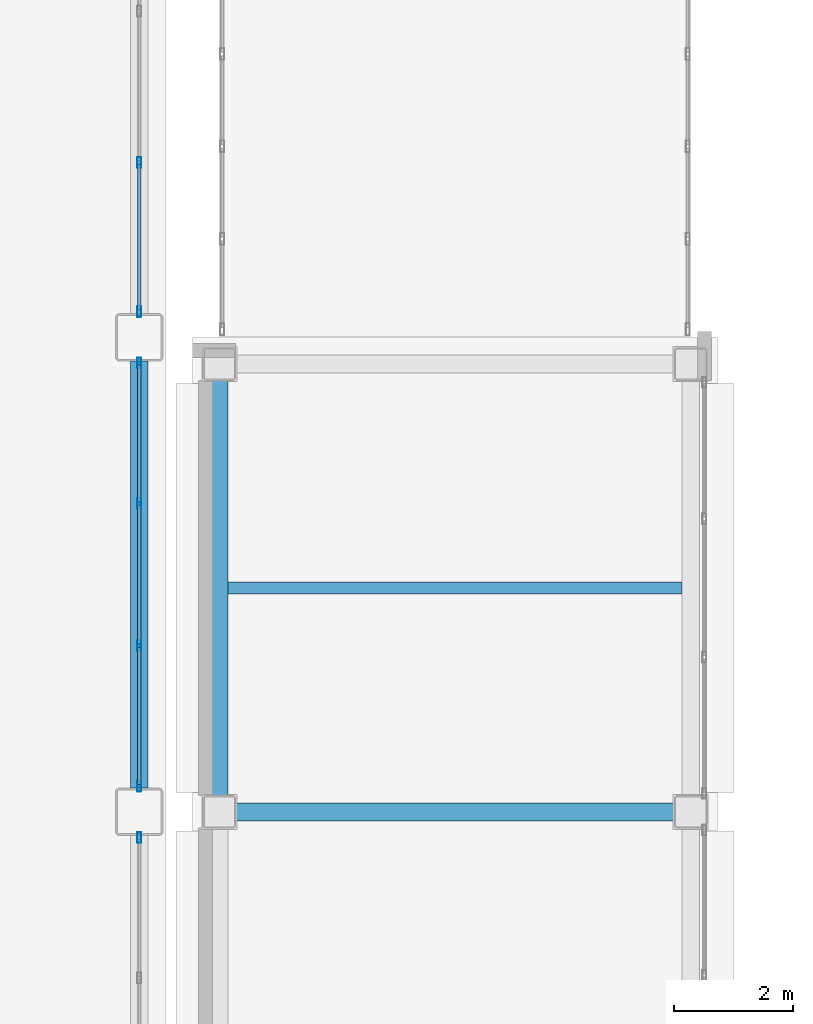
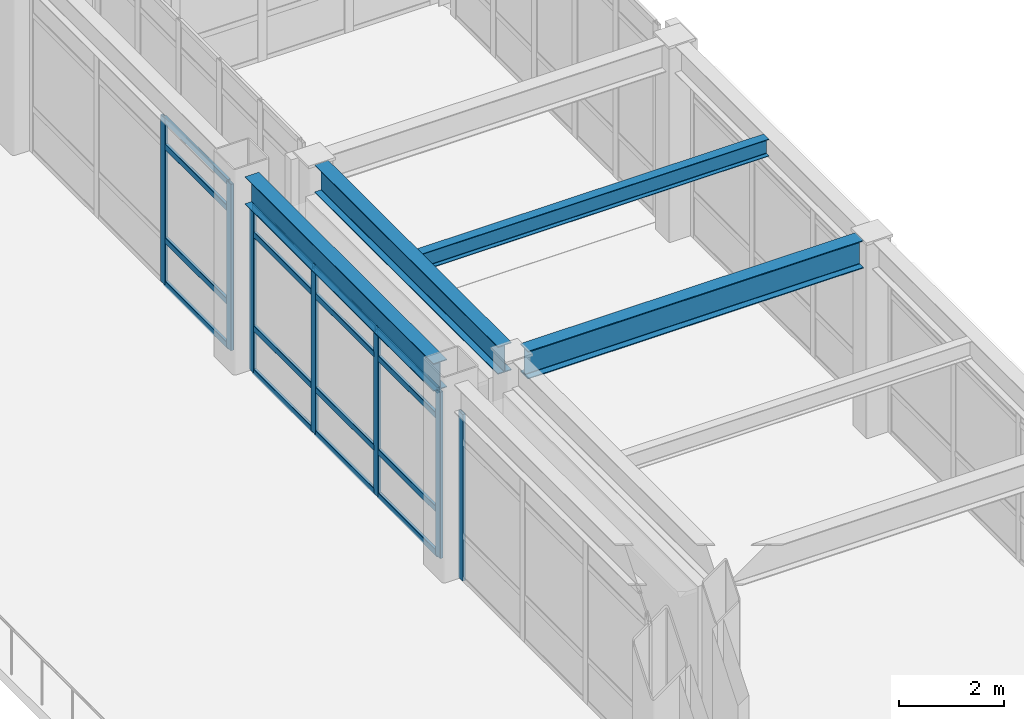
# One storey, part 62 of 154: 23 members, 4 beams, 3 elements without a shape of their own.
"""IFC4 building model written with IfcOpenShell, lengths in metres."""

from ifc_helpers import new_model, si_unit, direction, frame, origin, origin_2d, place, context, subcontext, project, spatial, hollow_rectangle, i_section, extrude, material, layer, layer_set, material_profile, profile_set, type_object, element, aggregate, save


model = new_model("IFC4")

# Units and contexts
model_context = context("Model", 3, precision=1e-05, world=origin(), true_north=direction((0.0, 1.0)))
body_context = subcontext(model_context, "Body", "Model", "MODEL_VIEW")
ifc_project = project(units=[si_unit("LENGTHUNIT", "METRE"), si_unit("AREAUNIT", "SQUARE_METRE"), si_unit("VOLUMEUNIT", "CUBIC_METRE"), si_unit("PLANEANGLEUNIT", "RADIAN"), si_unit("MASSUNIT", "GRAM", prefix="KILO")], contexts=[model_context])

# Site, building, storey
site_placement = place(None, origin())
site = spatial("IfcSite", under=ifc_project, at=site_placement, CompositionType="ELEMENT")
building_placement = place(site_placement, origin())
building = spatial("IfcBuilding", under=site, at=building_placement, Name="Kazehara Bluff Congress Hotel", CompositionType="ELEMENT")
storey_placement = place(building_placement, frame((0.0, 0.0, 10.199951171875)))
storey = spatial("IfcBuildingStorey", under=building, at=storey_placement, Name="L02", CompositionType="ELEMENT", Elevation=10.199951171875)

# Curtain wall, member
ifc_material_1 = material(Name="Anodised aluminium", Category="aluminium")
ifc_layer_1 = layer(ifc_material_1, 0.159912109375)
ifc_layer_set_1 = layer_set([ifc_layer_1], Name="Anodised aluminium")
curtain_wall_type_1 = type_object("IfcCurtainWallType", Name="TP-CW-23", PredefinedType="NOTDEFINED", material=ifc_layer_set_1)
curtain_wall_1_placement = place(storey_placement, origin())
curtain_wall_1 = element("IfcCurtainWall", 1, at=curtain_wall_1_placement, inside=storey, type_object=curtain_wall_type_1, Name="L02 curtain wall CW-23 CW-V1-L02-X5835-5685", PredefinedType="NOTDEFINED")
ifc_material_2 = material(Name="Anodised aluminium", Category="aluminium")
ifc_material_profile_1 = material_profile(ifc_material_2, hollow_rectangle(XDim=0.06494140625, YDim=0.179931640625, WallThickness=0.00390625, InnerFilletRadius=0.00390625, OuterFilletRadius=0.008056640625, at=origin_2d()))
ifc_profile_set_1 = profile_set([ifc_material_profile_1], Name="Anodised aluminium")
member_type_1 = type_object("IfcMemberType", Name="TP-CWM-02", PredefinedType="MULLION", material=ifc_profile_set_1)
member_1_placement = place(storey_placement, frame((58.35009765625, 64.017578125, 0.0), z_axis=(0.0, 0.0, 1.0), x_axis=(-1.0, 0.0, 0.0)))
member_1 = element("IfcMember", 2, at=member_1_placement, type_object=member_type_1, Name="CW-23 mullion 4", PredefinedType="MULLION", context=body_context, shape_type="SweptSolid", body=[
    extrude(hollow_rectangle(XDim=0.06494140625, YDim=0.179931640625, WallThickness=0.00390625, InnerFilletRadius=0.00390625, OuterFilletRadius=0.008056640625, at=origin_2d()), origin(), (0.0, 0.0, 1.0), 3.885009765625),
])
aggregate(curtain_wall_1, [member_1])

# Curtain wall, members
curtain_wall_2_placement = place(storey_placement, origin())
curtain_wall_2 = element("IfcCurtainWall", 3, at=curtain_wall_2_placement, inside=storey, type_object=curtain_wall_type_1, Name="L02 curtain wall CW-23 CW-V1-L02-X5835-6485", PredefinedType="NOTDEFINED")
member_2_placement = place(storey_placement, frame((58.35009765625, 64.882568359375, 0.0), z_axis=(0.0, 0.0, 1.0), x_axis=(-1.0, 0.0, 0.0)))
member_2 = element("IfcMember", 4, at=member_2_placement, type_object=member_type_1, Name="CW-23 mullion 1", PredefinedType="MULLION", context=body_context, shape_type="SweptSolid", body=[
    extrude(hollow_rectangle(XDim=0.06494140625, YDim=0.179931640625, WallThickness=0.00390625, InnerFilletRadius=0.00390625, OuterFilletRadius=0.008056640625, at=origin_2d()), origin(), (0.0, 0.0, 1.0), 3.885009765625),
])
member_3_placement = place(storey_placement, frame((58.35009765625, 67.25, 0.0), z_axis=(0.0, 0.0, 1.0), x_axis=(-1.0, 0.0, 0.0)))
member_3 = element("IfcMember", 5, at=member_3_placement, type_object=member_type_1, Name="CW-23 mullion 2", PredefinedType="MULLION", context=body_context, shape_type="SweptSolid", body=[
    extrude(hollow_rectangle(XDim=0.06494140625, YDim=0.179931640625, WallThickness=0.00390625, InnerFilletRadius=0.00390625, OuterFilletRadius=0.008056640625, at=origin_2d()), origin(), (0.0, 0.0, 1.0), 3.885009765625),
])
member_4_placement = place(storey_placement, frame((58.35009765625, 69.64990234375, 0.0), z_axis=(0.0, 0.0, 1.0), x_axis=(-1.0, 0.0, 0.0)))
member_4 = element("IfcMember", 6, at=member_4_placement, type_object=member_type_1, Name="CW-23 mullion 3", PredefinedType="MULLION", context=body_context, shape_type="SweptSolid", body=[
    extrude(hollow_rectangle(XDim=0.06494140625, YDim=0.179931640625, WallThickness=0.00390625, InnerFilletRadius=0.00390625, OuterFilletRadius=0.008056640625, at=origin_2d()), origin(), (0.0, 0.0, 1.0), 3.885009765625),
])
member_5_placement = place(storey_placement, frame((58.35009765625, 72.017578125, 0.0), z_axis=(0.0, 0.0, 1.0), x_axis=(-1.0, 0.0, 0.0)))
member_5 = element("IfcMember", 7, at=member_5_placement, type_object=member_type_1, Name="CW-23 mullion 4", PredefinedType="MULLION", context=body_context, shape_type="SweptSolid", body=[
    extrude(hollow_rectangle(XDim=0.06494140625, YDim=0.179931640625, WallThickness=0.00390625, InnerFilletRadius=0.00390625, OuterFilletRadius=0.008056640625, at=origin_2d()), origin(), (0.0, 0.0, 1.0), 3.885009765625),
])

ifc_material_3 = material(Name="Anodised aluminium", Category="aluminium")
ifc_layer_2 = layer(ifc_material_3, 0.159912109375)
ifc_layer_set_2 = layer_set([ifc_layer_2], Name="Anodised aluminium")
curtain_wall_type_2 = type_object("IfcCurtainWallType", Name="TP-CW-22", PredefinedType="NOTDEFINED", material=ifc_layer_set_2)
curtain_wall_3_placement = place(storey_placement, origin())
curtain_wall_3 = element("IfcCurtainWall", 8, at=curtain_wall_3_placement, inside=storey, type_object=curtain_wall_type_2, Name="L02 curtain wall CW-22 CW-V1-L02-X5835-7285", PredefinedType="NOTDEFINED")
member_6_placement = place(storey_placement, frame((58.35009765625, 72.882568359375, 0.0), z_axis=(0.0, 0.0, 1.0), x_axis=(-1.0, 0.0, 0.0)))
member_6 = element("IfcMember", 9, at=member_6_placement, type_object=member_type_1, Name="CW-22 mullion 1", PredefinedType="MULLION", context=body_context, shape_type="SweptSolid", body=[
    extrude(hollow_rectangle(XDim=0.06494140625, YDim=0.179931640625, WallThickness=0.00390625, InnerFilletRadius=0.00390625, OuterFilletRadius=0.008056640625, at=origin_2d()), origin(), (0.0, 0.0, 1.0), 3.885009765625),
])
member_7_placement = place(storey_placement, frame((58.35009765625, 75.39990234375, 0.0), z_axis=(0.0, 0.0, 1.0), x_axis=(-1.0, 0.0, 0.0)))
member_7 = element("IfcMember", 10, at=member_7_placement, type_object=member_type_1, Name="CW-22 mullion 2", PredefinedType="MULLION", context=body_context, shape_type="SweptSolid", body=[
    extrude(hollow_rectangle(XDim=0.06494140625, YDim=0.179931640625, WallThickness=0.00390625, InnerFilletRadius=0.00390625, OuterFilletRadius=0.008056640625, at=origin_2d()), origin(), (0.0, 0.0, 1.0), 3.885009765625),
])

# Member
ifc_material_4 = material(Name="Anodised aluminium", Category="aluminium")
ifc_material_profile_2 = material_profile(ifc_material_4, hollow_rectangle(XDim=0.06494140625, YDim=0.139892578125, WallThickness=0.00390625, InnerFilletRadius=0.00390625, OuterFilletRadius=0.008056640625, at=origin_2d()))
ifc_profile_set_2 = profile_set([ifc_material_profile_2], Name="Anodised aluminium")
member_type_2 = type_object("IfcMemberType", Name="TP-CWT-02", PredefinedType="USERDEFINED", material=ifc_profile_set_2)
member_8_placement = place(storey_placement, frame((58.35009765625, 64.9150390625, 0.032470703125), z_axis=(0.0, 1.0, 0.0), x_axis=(-1.0, 0.0, 0.0)))
member_8 = element("IfcMember", 11, at=member_8_placement, type_object=member_type_2, Name="CW-23 transom 1.1", ObjectType="TRANSOM", PredefinedType="USERDEFINED", context=body_context, shape_type="SweptSolid", body=[
    extrude(hollow_rectangle(XDim=0.06494140625, YDim=0.139892578125, WallThickness=0.00390625, InnerFilletRadius=0.00390625, OuterFilletRadius=0.008056640625, at=origin_2d()), origin(), (0.0, 0.0, 1.0), 2.302490234375),
])

member_9_placement = place(storey_placement, frame((58.35009765625, 64.9150390625, 1.050048828125), z_axis=(0.0, 1.0, 0.0), x_axis=(-1.0, 0.0, 0.0)))
member_9 = element("IfcMember", 12, at=member_9_placement, type_object=member_type_2, Name="CW-23 transom 1.2", ObjectType="TRANSOM", PredefinedType="USERDEFINED", context=body_context, shape_type="SweptSolid", body=[
    extrude(hollow_rectangle(XDim=0.06494140625, YDim=0.139892578125, WallThickness=0.00390625, InnerFilletRadius=0.00390625, OuterFilletRadius=0.008056640625, at=origin_2d()), origin(), (0.0, 0.0, 1.0), 2.302490234375),
])

member_10_placement = place(storey_placement, frame((58.35009765625, 64.9150390625, 3.235107421875), z_axis=(0.0, 1.0, 0.0), x_axis=(-1.0, 0.0, 0.0)))
member_10 = element("IfcMember", 13, at=member_10_placement, type_object=member_type_2, Name="CW-23 transom 1.3", ObjectType="TRANSOM", PredefinedType="USERDEFINED", context=body_context, shape_type="SweptSolid", body=[
    extrude(hollow_rectangle(XDim=0.06494140625, YDim=0.139892578125, WallThickness=0.00390625, InnerFilletRadius=0.00390625, OuterFilletRadius=0.008056640625, at=origin_2d()), origin(), (0.0, 0.0, 1.0), 2.302490234375),
])

member_11_placement = place(storey_placement, frame((58.35009765625, 64.9150390625, 3.8525390625), z_axis=(0.0, 1.0, 0.0), x_axis=(-1.0, 0.0, 0.0)))
member_11 = element("IfcMember", 14, at=member_11_placement, type_object=member_type_2, Name="CW-23 transom 1.4", ObjectType="TRANSOM", PredefinedType="USERDEFINED", context=body_context, shape_type="SweptSolid", body=[
    extrude(hollow_rectangle(XDim=0.06494140625, YDim=0.139892578125, WallThickness=0.00390625, InnerFilletRadius=0.00390625, OuterFilletRadius=0.008056640625, at=origin_2d()), origin(), (0.0, 0.0, 1.0), 2.302490234375),
])

member_12_placement = place(storey_placement, frame((58.35009765625, 67.282470703125, 0.032470703125), z_axis=(0.0, 1.0, 0.0), x_axis=(-1.0, 0.0, 0.0)))
member_12 = element("IfcMember", 15, at=member_12_placement, type_object=member_type_2, Name="CW-23 transom 2.1", ObjectType="TRANSOM", PredefinedType="USERDEFINED", context=body_context, shape_type="SweptSolid", body=[
    extrude(hollow_rectangle(XDim=0.06494140625, YDim=0.139892578125, WallThickness=0.00390625, InnerFilletRadius=0.00390625, OuterFilletRadius=0.008056640625, at=origin_2d()), origin(), (0.0, 0.0, 1.0), 2.3349609375),
])

member_13_placement = place(storey_placement, frame((58.35009765625, 67.282470703125, 1.050048828125), z_axis=(0.0, 1.0, 0.0), x_axis=(-1.0, 0.0, 0.0)))
member_13 = element("IfcMember", 16, at=member_13_placement, type_object=member_type_2, Name="CW-23 transom 2.2", ObjectType="TRANSOM", PredefinedType="USERDEFINED", context=body_context, shape_type="SweptSolid", body=[
    extrude(hollow_rectangle(XDim=0.06494140625, YDim=0.139892578125, WallThickness=0.00390625, InnerFilletRadius=0.00390625, OuterFilletRadius=0.008056640625, at=origin_2d()), origin(), (0.0, 0.0, 1.0), 2.3349609375),
])

member_14_placement = place(storey_placement, frame((58.35009765625, 67.282470703125, 3.235107421875), z_axis=(0.0, 1.0, 0.0), x_axis=(-1.0, 0.0, 0.0)))
member_14 = element("IfcMember", 17, at=member_14_placement, type_object=member_type_2, Name="CW-23 transom 2.3", ObjectType="TRANSOM", PredefinedType="USERDEFINED", context=body_context, shape_type="SweptSolid", body=[
    extrude(hollow_rectangle(XDim=0.06494140625, YDim=0.139892578125, WallThickness=0.00390625, InnerFilletRadius=0.00390625, OuterFilletRadius=0.008056640625, at=origin_2d()), origin(), (0.0, 0.0, 1.0), 2.3349609375),
])

member_15_placement = place(storey_placement, frame((58.35009765625, 67.282470703125, 3.8525390625), z_axis=(0.0, 1.0, 0.0), x_axis=(-1.0, 0.0, 0.0)))
member_15 = element("IfcMember", 18, at=member_15_placement, type_object=member_type_2, Name="CW-23 transom 2.4", ObjectType="TRANSOM", PredefinedType="USERDEFINED", context=body_context, shape_type="SweptSolid", body=[
    extrude(hollow_rectangle(XDim=0.06494140625, YDim=0.139892578125, WallThickness=0.00390625, InnerFilletRadius=0.00390625, OuterFilletRadius=0.008056640625, at=origin_2d()), origin(), (0.0, 0.0, 1.0), 2.3349609375),
])

member_16_placement = place(storey_placement, frame((58.35009765625, 69.6826171875, 0.032470703125), z_axis=(0.0, 1.0, 0.0), x_axis=(-1.0, 0.0, 0.0)))
member_16 = element("IfcMember", 19, at=member_16_placement, type_object=member_type_2, Name="CW-23 transom 3.1", ObjectType="TRANSOM", PredefinedType="USERDEFINED", context=body_context, shape_type="SweptSolid", body=[
    extrude(hollow_rectangle(XDim=0.06494140625, YDim=0.139892578125, WallThickness=0.00390625, InnerFilletRadius=0.00390625, OuterFilletRadius=0.008056640625, at=origin_2d()), origin(), (0.0, 0.0, 1.0), 2.302490234375),
])

member_17_placement = place(storey_placement, frame((58.35009765625, 69.6826171875, 1.050048828125), z_axis=(0.0, 1.0, 0.0), x_axis=(-1.0, 0.0, 0.0)))
member_17 = element("IfcMember", 20, at=member_17_placement, type_object=member_type_2, Name="CW-23 transom 3.2", ObjectType="TRANSOM", PredefinedType="USERDEFINED", context=body_context, shape_type="SweptSolid", body=[
    extrude(hollow_rectangle(XDim=0.06494140625, YDim=0.139892578125, WallThickness=0.00390625, InnerFilletRadius=0.00390625, OuterFilletRadius=0.008056640625, at=origin_2d()), origin(), (0.0, 0.0, 1.0), 2.302490234375),
])

member_18_placement = place(storey_placement, frame((58.35009765625, 69.6826171875, 3.235107421875), z_axis=(0.0, 1.0, 0.0), x_axis=(-1.0, 0.0, 0.0)))
member_18 = element("IfcMember", 21, at=member_18_placement, type_object=member_type_2, Name="CW-23 transom 3.3", ObjectType="TRANSOM", PredefinedType="USERDEFINED", context=body_context, shape_type="SweptSolid", body=[
    extrude(hollow_rectangle(XDim=0.06494140625, YDim=0.139892578125, WallThickness=0.00390625, InnerFilletRadius=0.00390625, OuterFilletRadius=0.008056640625, at=origin_2d()), origin(), (0.0, 0.0, 1.0), 2.302490234375),
])

member_19_placement = place(storey_placement, frame((58.35009765625, 69.6826171875, 3.8525390625), z_axis=(0.0, 1.0, 0.0), x_axis=(-1.0, 0.0, 0.0)))
member_19 = element("IfcMember", 22, at=member_19_placement, type_object=member_type_2, Name="CW-23 transom 3.4", ObjectType="TRANSOM", PredefinedType="USERDEFINED", context=body_context, shape_type="SweptSolid", body=[
    extrude(hollow_rectangle(XDim=0.06494140625, YDim=0.139892578125, WallThickness=0.00390625, InnerFilletRadius=0.00390625, OuterFilletRadius=0.008056640625, at=origin_2d()), origin(), (0.0, 0.0, 1.0), 2.302490234375),
])

aggregate(curtain_wall_2, [member_2, member_3, member_4, member_5, member_8, member_9, member_10, member_11, member_12, member_13, member_14, member_15, member_16, member_17, member_18, member_19])

member_20_placement = place(storey_placement, frame((58.35009765625, 72.9150390625, 0.032470703125), z_axis=(0.0, 1.0, 0.0), x_axis=(-1.0, 0.0, 0.0)))
member_20 = element("IfcMember", 23, at=member_20_placement, type_object=member_type_2, Name="CW-22 transom 1.1", ObjectType="TRANSOM", PredefinedType="USERDEFINED", context=body_context, shape_type="SweptSolid", body=[
    extrude(hollow_rectangle(XDim=0.06494140625, YDim=0.139892578125, WallThickness=0.00390625, InnerFilletRadius=0.00390625, OuterFilletRadius=0.008056640625, at=origin_2d()), origin(), (0.0, 0.0, 1.0), 2.452392578125),
])

member_21_placement = place(storey_placement, frame((58.35009765625, 72.9150390625, 1.050048828125), z_axis=(0.0, 1.0, 0.0), x_axis=(-1.0, 0.0, 0.0)))
member_21 = element("IfcMember", 24, at=member_21_placement, type_object=member_type_2, Name="CW-22 transom 1.2", ObjectType="TRANSOM", PredefinedType="USERDEFINED", context=body_context, shape_type="SweptSolid", body=[
    extrude(hollow_rectangle(XDim=0.06494140625, YDim=0.139892578125, WallThickness=0.00390625, InnerFilletRadius=0.00390625, OuterFilletRadius=0.008056640625, at=origin_2d()), origin(), (0.0, 0.0, 1.0), 2.452392578125),
])

member_22_placement = place(storey_placement, frame((58.35009765625, 72.9150390625, 3.235107421875), z_axis=(0.0, 1.0, 0.0), x_axis=(-1.0, 0.0, 0.0)))
member_22 = element("IfcMember", 25, at=member_22_placement, type_object=member_type_2, Name="CW-22 transom 1.3", ObjectType="TRANSOM", PredefinedType="USERDEFINED", context=body_context, shape_type="SweptSolid", body=[
    extrude(hollow_rectangle(XDim=0.06494140625, YDim=0.139892578125, WallThickness=0.00390625, InnerFilletRadius=0.00390625, OuterFilletRadius=0.008056640625, at=origin_2d()), origin(), (0.0, 0.0, 1.0), 2.452392578125),
])

member_23_placement = place(storey_placement, frame((58.35009765625, 72.9150390625, 3.8525390625), z_axis=(0.0, 1.0, 0.0), x_axis=(-1.0, 0.0, 0.0)))
member_23 = element("IfcMember", 26, at=member_23_placement, type_object=member_type_2, Name="CW-22 transom 1.4", ObjectType="TRANSOM", PredefinedType="USERDEFINED", context=body_context, shape_type="SweptSolid", body=[
    extrude(hollow_rectangle(XDim=0.06494140625, YDim=0.139892578125, WallThickness=0.00390625, InnerFilletRadius=0.00390625, OuterFilletRadius=0.008056640625, at=origin_2d()), origin(), (0.0, 0.0, 1.0), 2.452392578125),
])

aggregate(curtain_wall_3, [member_6, member_7, member_20, member_21, member_22, member_23])

# Beams
ifc_material_5 = material(Name="Steel SN490B", Category="steel")
ifc_material_profile_3 = material_profile(ifc_material_5, i_section(OverallWidth=0.300048828125, OverallDepth=0.64990234375, WebThickness=0.011962890625, FlangeThickness=0.02001953125, FilletRadius=0.012939453125, at=origin_2d()))
ifc_profile_set_3 = profile_set([ifc_material_profile_3], Name="Steel SN490B")
beam_type_1 = type_object("IfcBeamType", Name="TP-G-03", PredefinedType="BEAM", material=ifc_profile_set_3)
beam_1_placement = place(storey_placement, frame((58.35009765625, 64.85009765625, 4.235107421875), z_axis=(0.0, 1.0, 0.0), x_axis=(-1.0, 0.0, 0.0)))
element("IfcBeam", 27, at=beam_1_placement, inside=storey, type_object=beam_type_1, Name="L02 girder G-03 19", PredefinedType="BEAM", context=body_context, shape_type="SweptSolid", body=[
    extrude(i_section(OverallWidth=0.300048828125, OverallDepth=0.64990234375, WebThickness=0.011962890625, FlangeThickness=0.02001953125, FilletRadius=0.012939453125, at=origin_2d()), origin(), (0.0, 0.0, 1.0), 7.199951171875),
])
beam_2_placement = place(storey_placement, frame((59.699951171875, 64.72509765625, 4.235107421875), z_axis=(0.0, 1.0, 0.0), x_axis=(-1.0, 0.0, 0.0)))
element("IfcBeam", 28, at=beam_2_placement, inside=storey, type_object=beam_type_1, Name="L02 girder G-03 63", PredefinedType="BEAM", context=body_context, shape_type="SweptSolid", body=[
    extrude(i_section(OverallWidth=0.300048828125, OverallDepth=0.64990234375, WebThickness=0.011962890625, FlangeThickness=0.02001953125, FilletRadius=0.012939453125, at=origin_2d()), origin(), (0.0, 0.0, 1.0), 7.0),
])
beam_3_placement = place(storey_placement, frame((59.97509765625, 64.449951171875, 4.235107421875), z_axis=(1.0, 0.0, 0.0), x_axis=(0.0, 1.0, 0.0)))
element("IfcBeam", 29, at=beam_3_placement, inside=storey, type_object=beam_type_1, Name="L02 girder G-03 128", PredefinedType="BEAM", context=body_context, shape_type="SweptSolid", body=[
    extrude(i_section(OverallWidth=0.300048828125, OverallDepth=0.64990234375, WebThickness=0.011962890625, FlangeThickness=0.02001953125, FilletRadius=0.012939453125, at=origin_2d()), origin(), (0.0, 0.0, 1.0), 7.39990234375),
])
ifc_material_6 = material(Name="Steel SN400B", Category="steel")
ifc_material_profile_4 = material_profile(ifc_material_6, i_section(OverallWidth=0.199951171875, OverallDepth=0.39990234375, WebThickness=0.008056640625, FlangeThickness=0.012939453125, FilletRadius=0.012939453125, at=origin_2d()))
ifc_profile_set_4 = profile_set([ifc_material_profile_4], Name="Steel SN400B")
beam_type_2 = type_object("IfcBeamType", Name="TP-J-03", PredefinedType="JOIST", material=ifc_profile_set_4)
beam_4_placement = place(storey_placement, frame((59.85009765625, 68.22509765625, 4.360107421875), z_axis=(1.0, 0.0, 0.0), x_axis=(0.0, 1.0, 0.0)))
element("IfcBeam", 30, at=beam_4_placement, inside=storey, type_object=beam_type_2, Name="L02 secondary joist J-03 10", PredefinedType="JOIST", context=body_context, shape_type="SweptSolid", body=[
    extrude(i_section(OverallWidth=0.199951171875, OverallDepth=0.39990234375, WebThickness=0.008056640625, FlangeThickness=0.012939453125, FilletRadius=0.012939453125, at=origin_2d()), origin(), (0.0, 0.0, 1.0), 7.64990234375),
])

save(model, "model.ifc")
